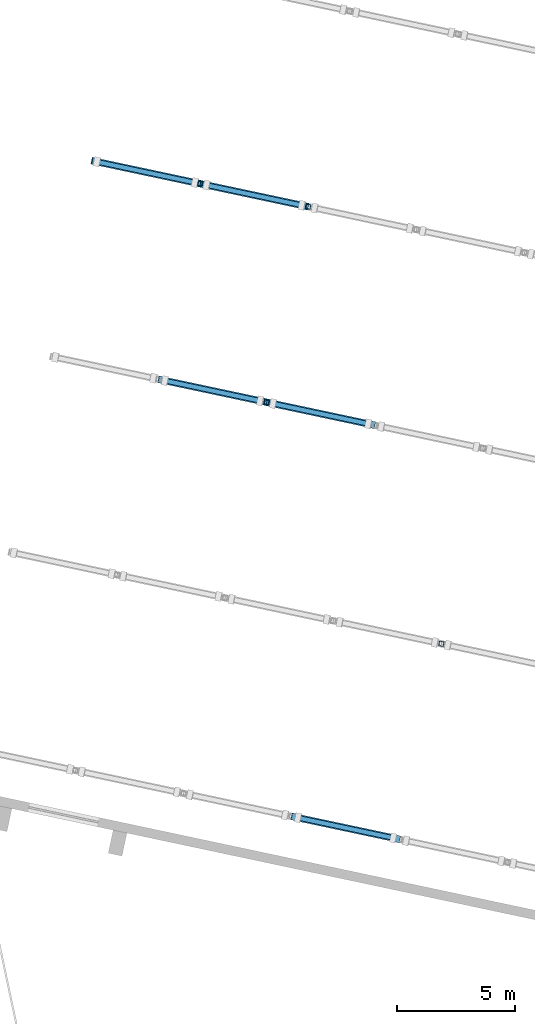
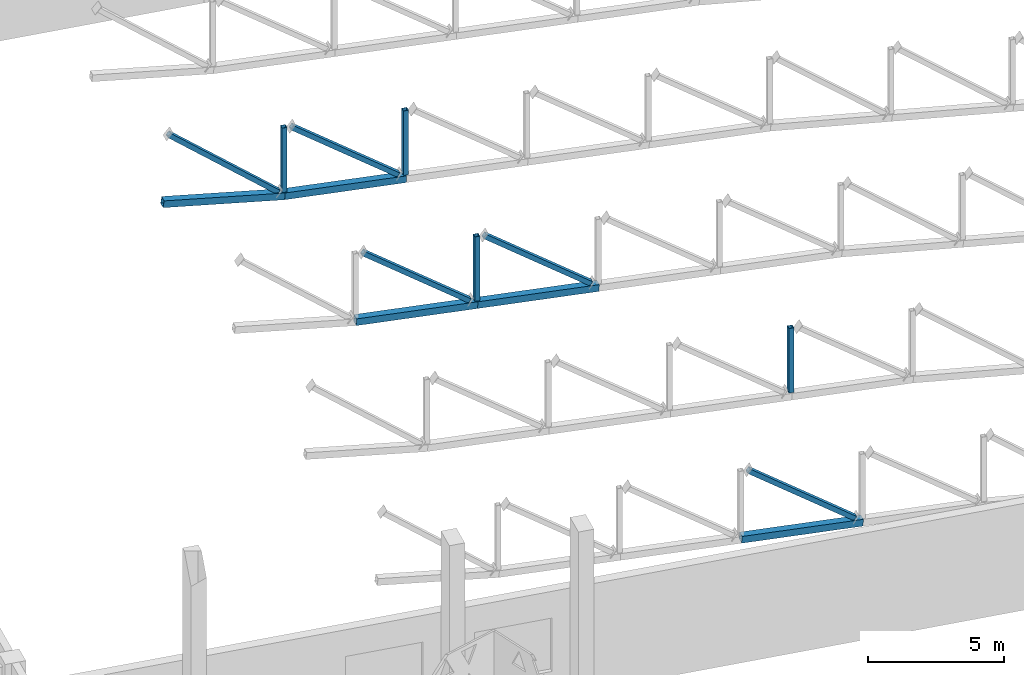
# One storey, part 61 of 182: 14 members.
"""IFC4 building model written with IfcOpenShell, lengths in metres."""

from ifc_helpers import new_model, si_unit, direction, frame, origin, origin_2d, place, context, subcontext, project, spatial, hollow_rectangle, extrude, material, material_profile, profile_set, type_object, element, save


model = new_model("IFC4")

# Units and contexts
model_context = context("Model", 3, precision=1e-05, world=origin(), true_north=direction((0.0, 1.0)))
body_context = subcontext(model_context, "Body", "Model", "MODEL_VIEW")
ifc_project = project(units=[si_unit("LENGTHUNIT", "METRE"), si_unit("AREAUNIT", "SQUARE_METRE"), si_unit("VOLUMEUNIT", "CUBIC_METRE"), si_unit("PLANEANGLEUNIT", "RADIAN"), si_unit("MASSUNIT", "GRAM", prefix="KILO")], contexts=[model_context])

# Site, building, storey
site_placement = place(None, origin())
site = spatial("IfcSite", under=ifc_project, at=site_placement, CompositionType="ELEMENT")
building_placement = place(site_placement, origin())
building = spatial("IfcBuilding", under=site, at=building_placement, Name="Okhra Congress Centre", CompositionType="ELEMENT")
storey_placement = place(building_placement, frame((0.0, 0.0, 7.199951171875)))
storey = spatial("IfcBuildingStorey", under=building, at=storey_placement, Name="L01", CompositionType="ELEMENT", Elevation=7.199951171875)

# Members
ifc_material = material(Name="Steel S355J2", Category="steel")
ifc_material_profile_1 = material_profile(ifc_material, hollow_rectangle(XDim=0.300048828125, YDim=0.300048828125, WallThickness=0.01611328125, at=origin_2d()), Name="RHS 300x300x16")
ifc_profile_set_1 = profile_set([ifc_material_profile_1], Name="Steel S355J2")
member_type_1 = type_object("IfcMemberType", Name="Steel truss chord RHS 300x300x16", PredefinedType="CHORD", material=ifc_profile_set_1)
for number, where, z_axis, x_axis, name in (
    (1, (227.533447265625, 89.81103515625, 4.051025390625), (0.976813785854, -0.20759432696, -0.052339499226), (0.207879256857, 0.978154494223, 0.0), "Hall truss 1 bottom chord 7"),
    (2, (221.873291015625, 108.39404296875, 4.543701171875), (0.976803265923, -0.207643963331, -0.052338935549), (0.207928955205, 0.978143930916, 0.0), "Hall truss 3 bottom chord 5"),
):
    element("IfcMember", number, at=place(storey_placement, frame(where, z_axis=z_axis, x_axis=x_axis)), inside=storey, type_object=member_type_1, Name=name, PredefinedType="CHORD", context=body_context, shape_type="SweptSolid", body=[
        extrude(hollow_rectangle(XDim=0.300048828125, YDim=0.300048828125, WallThickness=0.01611328125, at=origin_2d()), origin(), (0.0, 0.0, 1.0), 4.70654296875),
    ])
member_1_placement = place(storey_placement, frame((226.470703125, 107.416748046875, 4.29736328125), z_axis=(0.9768114081, -0.207604846267, -0.052342151395), x_axis=(0.20788981954, 0.978152249362, 0.0)))
element("IfcMember", 3, at=member_1_placement, inside=storey, type_object=member_type_1, Name="Hall truss 3 bottom chord 6", PredefinedType="CHORD", context=body_context, shape_type="SweptSolid", body=[
    extrude(hollow_rectangle(XDim=0.300048828125, YDim=0.300048828125, WallThickness=0.01611328125, at=origin_2d()), origin(), (0.0, 0.0, 1.0), 4.706298828125),
])
member_2_placement = place(storey_placement, frame((219.043212890625, 117.685546875, 5.2041015625), z_axis=(0.968629274242, -0.205906376974, -0.139139832554), x_axis=(0.207928955205, 0.978143930916, 0.0)))
element("IfcMember", 4, at=member_2_placement, inside=storey, type_object=member_type_1, Name="Hall truss 4 bottom chord 4", PredefinedType="CHORD", context=body_context, shape_type="SweptSolid", body=[
    extrude(hollow_rectangle(XDim=0.300048828125, YDim=0.300048828125, WallThickness=0.01611328125, at=origin_2d()), origin(), (0.0, 0.0, 1.0), 4.746337890625),
])
member_3_placement = place(storey_placement, frame((223.640625, 116.708251953125, 4.543701171875), z_axis=(0.976800887128, -0.207654484927, -0.052341587632), x_axis=(0.207939520185, 0.978141685005, 0.0)))
element("IfcMember", 5, at=member_3_placement, inside=storey, type_object=member_type_1, Name="Hall truss 4 bottom chord 5", PredefinedType="CHORD", context=body_context, shape_type="SweptSolid", body=[
    extrude(hollow_rectangle(XDim=0.300048828125, YDim=0.300048828125, WallThickness=0.01611328125, at=origin_2d()), origin(), (0.0, 0.0, 1.0), 4.706298828125),
])
ifc_material_profile_2 = material_profile(ifc_material, hollow_rectangle(XDim=0.199951171875, YDim=0.199951171875, WallThickness=0.010009765625, at=origin_2d()), Name="RHS 200x200x10 diagonal")
ifc_profile_set_2 = profile_set([ifc_material_profile_2], Name="Steel S355J2")
member_type_2 = type_object("IfcMemberType", Name="Steel truss diagonal RHS 200x200x10", PredefinedType="BRACE", material=ifc_profile_set_2)
member_4_placement = place(storey_placement, frame((227.81689453125, 89.750732421875, 7.03857421875), z_axis=(0.788818092846, -0.167626233929, -0.591326865699), x_axis=(0.207861590495, 0.978158248545, 0.0)))
element("IfcMember", 6, at=member_4_placement, inside=storey, type_object=member_type_2, Name="Hall truss 1 diagonal 7", PredefinedType="BRACE", context=body_context, shape_type="SweptSolid", body=[
    extrude(hollow_rectangle(XDim=0.199951171875, YDim=0.199951171875, WallThickness=0.010009765625, at=origin_2d()), origin(), (0.0, 0.0, 1.0), 5.109375),
])
member_5_placement = place(storey_placement, frame((222.156982421875, 108.333740234375, 7.531005859375), z_axis=(0.788816010675, -0.16768373305, -0.59131334077), x_axis=(0.207930334102, 0.978143637796, 0.0)))
element("IfcMember", 7, at=member_5_placement, inside=storey, type_object=member_type_2, Name="Hall truss 3 diagonal 5", PredefinedType="BRACE", context=body_context, shape_type="SweptSolid", body=[
    extrude(hollow_rectangle(XDim=0.199951171875, YDim=0.199951171875, WallThickness=0.010009765625, at=origin_2d()), origin(), (0.0, 0.0, 1.0), 5.10888671875),
])
member_6_placement = place(storey_placement, frame((226.754150390625, 107.3564453125, 7.284912109375), z_axis=(0.788818092846, -0.167626233929, -0.591326865699), x_axis=(0.207861590495, 0.978158248545, 0.0)))
element("IfcMember", 8, at=member_6_placement, inside=storey, type_object=member_type_2, Name="Hall truss 3 diagonal 6", PredefinedType="BRACE", context=body_context, shape_type="SweptSolid", body=[
    extrude(hollow_rectangle(XDim=0.199951171875, YDim=0.199951171875, WallThickness=0.010009765625, at=origin_2d()), origin(), (0.0, 0.0, 1.0), 5.109375),
])
member_7_placement = place(storey_placement, frame((219.266845703125, 117.637939453125, 8.216552734375), z_axis=(0.755850558635, -0.160649924604, -0.634729497295), x_axis=(0.207897982731, 0.978150514377, 0.0)))
element("IfcMember", 9, at=member_7_placement, inside=storey, type_object=member_type_2, Name="Hall truss 4 diagonal 4", PredefinedType="BRACE", context=body_context, shape_type="SweptSolid", body=[
    extrude(hollow_rectangle(XDim=0.199951171875, YDim=0.199951171875, WallThickness=0.010009765625, at=origin_2d()), origin(), (0.0, 0.0, 1.0), 5.49072265625),
])
member_8_placement = place(storey_placement, frame((223.924072265625, 116.64794921875, 7.531005859375), z_axis=(0.788834062025, -0.167677412385, -0.591291051823), x_axis=(0.2079182829, 0.97814619952, 0.0)))
element("IfcMember", 10, at=member_8_placement, inside=storey, type_object=member_type_2, Name="Hall truss 4 diagonal 5", PredefinedType="BRACE", context=body_context, shape_type="SweptSolid", body=[
    extrude(hollow_rectangle(XDim=0.199951171875, YDim=0.199951171875, WallThickness=0.010009765625, at=origin_2d()), origin(), (0.0, 0.0, 1.0), 5.109130859375),
])
ifc_material_profile_3 = material_profile(ifc_material, hollow_rectangle(XDim=0.199951171875, YDim=0.199951171875, WallThickness=0.010009765625, at=origin_2d()), Name="RHS 200x200x10")
ifc_profile_set_3 = profile_set([ifc_material_profile_3], Name="Steel S355J2")
member_type_3 = type_object("IfcMemberType", Name="Steel truss post RHS 200x200x10", PredefinedType="POST", material=ifc_profile_set_3)
for number, where, z_axis, x_axis, name in (
    (11, (233.89794921875, 97.148193359375, 3.954833984375), (0.0, 0.0, 1.0), (0.978147600734, -0.207911690818, 0.0), "Hall truss 2 post 8"),
    (12, (226.470703125, 107.416748046875, 4.447509765625), (0.0, 0.0, 1.0), (0.978147600734, -0.207911690818, 0.0), "Hall truss 3 post 6"),
    (13, (223.640625, 116.708251953125, 4.69384765625), (0.0, 0.0, 1.0), (0.978147600734, -0.207911690818, 0.0), "Hall truss 4 post 5"),
    (14, (228.23779296875, 115.73095703125, 4.447509765625), (0.0, 0.0, 1.0), (0.978147600734, -0.207911690818, 0.0), "Hall truss 4 post 6"),
):
    element("IfcMember", number, at=place(storey_placement, frame(where, z_axis=z_axis, x_axis=x_axis)), inside=storey, type_object=member_type_3, Name=name, PredefinedType="POST", context=body_context, shape_type="SweptSolid", body=[
        extrude(hollow_rectangle(XDim=0.199951171875, YDim=0.199951171875, WallThickness=0.010009765625, at=origin_2d()), origin(), (0.0, 0.0, 1.0), 2.899658203125),
    ])

save(model, "model.ifc")
